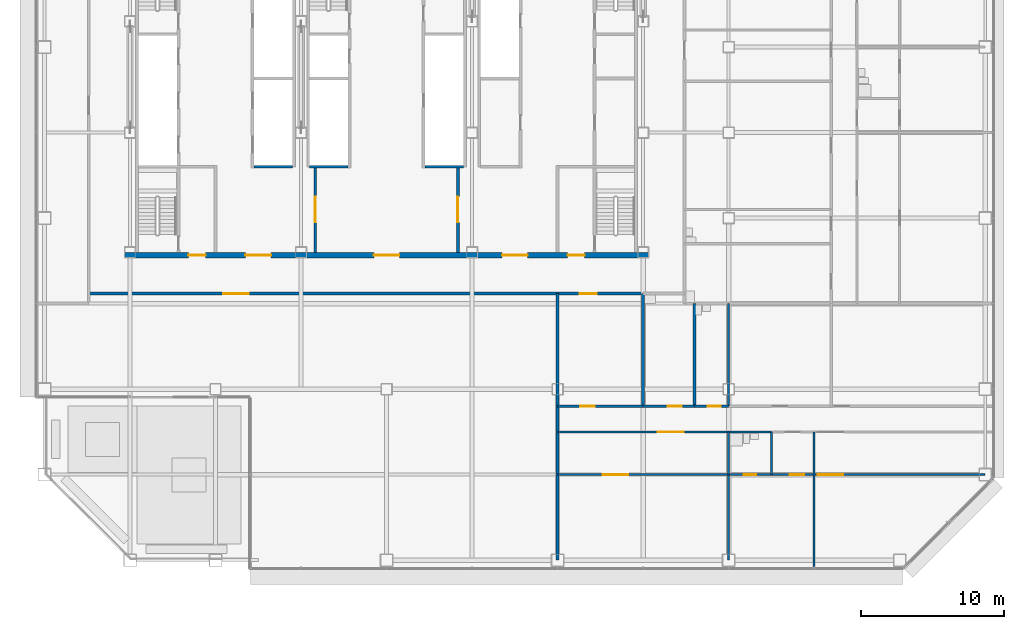
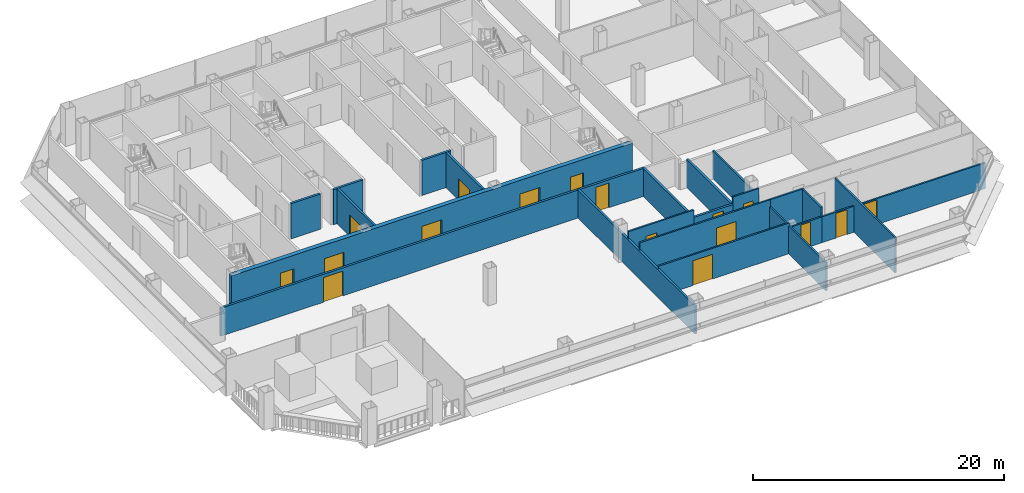
# One storey, part 20 of 28: 23 walls, 17 doors, 17 openings.
"""IFC4 building model written with IfcOpenShell, lengths in metres."""

from ifc_helpers import new_model, si_unit, direction, frame, frame_2d, origin, place, context, subcontext, project, spatial, rectangle, extrude, material, layer, layer_set, type_object, element, fill, save


model = new_model("IFC4")

# Units and contexts
model_context = context("Model", 3, precision=1e-05, world=origin(), true_north=direction((0.0, 1.0)))
body_context = subcontext(model_context, "Body", "Model", "MODEL_VIEW")
ifc_project = project(units=[si_unit("LENGTHUNIT", "METRE"), si_unit("AREAUNIT", "SQUARE_METRE"), si_unit("VOLUMEUNIT", "CUBIC_METRE"), si_unit("PLANEANGLEUNIT", "RADIAN"), si_unit("MASSUNIT", "GRAM", prefix="KILO")], contexts=[model_context])

# Site, building, storey
site_placement = place(None, origin())
site = spatial("IfcSite", under=ifc_project, at=site_placement, CompositionType="ELEMENT")
building_placement = place(site_placement, origin())
building = spatial("IfcBuilding", under=site, at=building_placement, Name="Sorahane Residences", CompositionType="ELEMENT")
storey_placement = place(building_placement, frame((0.0, 0.0, 60.60009765625)))
storey = spatial("IfcBuildingStorey", under=building, at=storey_placement, Name="L11", CompositionType="ELEMENT", Elevation=60.60009765625)

# Wall
ifc_material_1 = material(Name="Concrete blockwork C20 wall", Category="masonry")
ifc_layer_1 = layer(ifc_material_1, 0.199951171875)
ifc_layer_set_1 = layer_set([ifc_layer_1], Name="Corridor wall 200 EI 120")
wall_type_1 = type_object("IfcWallType", Name="Corridor wall 200 EI 120", PredefinedType="SOLIDWALL", material=ifc_layer_set_1)
wall_1_placement = place(storey_placement, frame((36.0, 0.0, 0.0), z_axis=(0.0, 0.0, 1.0), x_axis=(0.0, 1.0, 0.0)))
element("IfcWall", 1, at=wall_1_placement, inside=storey, type_object=wall_type_1, Name="L11 corridor wall", PredefinedType="SOLIDWALL", context=body_context, shape_type="SweptSolid", body=[
    extrude(rectangle(XDim=18.699951171875, YDim=0.199951171875, at=frame_2d((9.35009765625, 0.0))), origin(), (0.0, 0.0, 1.0), 2.719970703125),
])

# Wall, openings, doors
wall_2_placement = place(storey_placement, frame((3.10009765625, 18.699951171875, 0.0), z_axis=(0.0, 0.0, 1.0), x_axis=(1.0, 0.0, 0.0)))
wall_2 = element("IfcWall", 2, at=wall_2_placement, inside=storey, type_object=wall_type_1, Name="L11 corridor wall", PredefinedType="SOLIDWALL", context=body_context, shape_type="SweptSolid", body=[
    extrude(rectangle(XDim=38.89990234375, YDim=0.199951171875, at=frame_2d((19.449951171875, 0.0))), origin(), (0.0, 0.0, 1.0), 2.719970703125),
])
opening_1_placement = place(wall_2_placement, frame((34.43994140625, 0.0, 0.0)))
opening_1 = element("IfcOpeningElement", 3, at=opening_1_placement, cuts=wall_2, Name="Opening L11-25", PredefinedType="OPENING", context=body_context, shape_type="SweptSolid", body=[
    extrude(rectangle(XDim=1.199951171875, YDim=2.39990234375, at=frame_2d((0.60009765625, 1.199951171875))), frame((0.0, 0.10986328125, 0.0), z_axis=(0.0, -1.0, 0.0), x_axis=(1.0, 0.0, 0.0)), (0.0, 0.0, 1.0), 0.219970703125),
])
opening_2_placement = place(wall_2_placement, frame((9.429931640625, 0.0, 0.0)))
opening_2 = element("IfcOpeningElement", 4, at=opening_2_placement, cuts=wall_2, Name="Opening L11-27", PredefinedType="OPENING", context=body_context, shape_type="SweptSolid", body=[
    extrude(rectangle(XDim=1.800048828125, YDim=2.39990234375, at=frame_2d((0.89990234375, 1.199951171875))), frame((0.0, 0.10986328125, 0.0), z_axis=(0.0, -1.0, 0.0), x_axis=(1.0, 0.0, 0.0)), (0.0, 0.0, 1.0), 0.219970703125),
])
ifc_material_2 = material(Name="Timber veneered fire door", Category="wood")
door_type_1 = type_object("IfcDoorType", Name="Double door 1800x2400 FD30", OperationType="NOTDEFINED", PredefinedType="DOOR", material=ifc_material_2)
door_1_placement = place(opening_2_placement, frame((1.800048828125, 0.0, 0.0), z_axis=(0.0, 0.0, 1.0), x_axis=(-1.0, 0.0, 0.0)))
door_1 = element("IfcDoor", 5, at=door_1_placement, inside=storey, type_object=door_type_1, Name="Double door L11-27", OperationType="SINGLE_SWING_LEFT", OverallHeight=2.39990234375, OverallWidth=1.800048828125, PredefinedType="DOOR", context=body_context, shape_type="SweptSolid", body=[
    extrude(rectangle(XDim=1.800048828125, YDim=2.39990234375, at=frame_2d((0.89990234375, 1.199951171875))), frame((0.0, 0.02490234375, 0.0), z_axis=(0.0, -1.0, 0.0), x_axis=(1.0, 0.0, 0.0)), (0.0, 0.0, 1.0), 0.050048828125),
])
fill(opening_2, door_1)
ifc_material_3 = material(Name="Timber veneered fire door", Category="wood")
door_type_2 = type_object("IfcDoorType", Name="Flat entrance door 1200x2400 FD60", OperationType="NOTDEFINED", PredefinedType="DOOR", material=ifc_material_3)
door_2_placement = place(opening_1_placement, frame((1.199951171875, 0.0, 0.0), z_axis=(0.0, 0.0, 1.0), x_axis=(-1.0, 0.0, 0.0)))
door_2 = element("IfcDoor", 6, at=door_2_placement, inside=storey, type_object=door_type_2, Name="Flat entrance door L11-25", OperationType="SINGLE_SWING_RIGHT", OverallHeight=2.39990234375, OverallWidth=1.199951171875, PredefinedType="DOOR", context=body_context, shape_type="SweptSolid", body=[
    extrude(rectangle(XDim=1.199951171875, YDim=2.39990234375, at=frame_2d((0.60009765625, 1.199951171875))), frame((0.0, 0.02490234375, 0.0), z_axis=(0.0, -1.0, 0.0), x_axis=(1.0, 0.0, 0.0)), (0.0, 0.0, 1.0), 0.050048828125),
])
fill(opening_1, door_2)

# Walls
ifc_material_4 = material(Name="Concrete blockwork C20 wall", Category="masonry")
ifc_layer_2 = layer(ifc_material_4, 0.199951171875)
ifc_layer_set_2 = layer_set([ifc_layer_2], Name="Kitchen wall 200 EI 180")
wall_type_2 = type_object("IfcWallType", Name="Kitchen wall 200 EI 180", PredefinedType="SOLIDWALL", material=ifc_layer_set_2)
wall_3_placement = place(storey_placement, frame((42.0, 10.800048828125, 0.0), z_axis=(0.0, 0.0, 1.0), x_axis=(0.0, 1.0, 0.0)))
element("IfcWall", 7, at=wall_3_placement, inside=storey, type_object=wall_type_2, Name="L11 kitchen wall", PredefinedType="SOLIDWALL", context=body_context, shape_type="SweptSolid", body=[
    extrude(rectangle(XDim=7.89990234375, YDim=0.199951171875, at=frame_2d((3.949951171875, 0.0))), origin(), (0.0, 0.0, 1.0), 2.719970703125),
])
wall_4_placement = place(storey_placement, frame((45.60009765625, 10.800048828125, 0.0), z_axis=(0.0, 0.0, 1.0), x_axis=(0.0, 1.0, 0.0)))
element("IfcWall", 8, at=wall_4_placement, inside=storey, type_object=wall_type_2, Name="L11 kitchen wall", PredefinedType="SOLIDWALL", context=body_context, shape_type="SweptSolid", body=[
    extrude(rectangle(XDim=7.199951171875, YDim=0.199951171875, at=frame_2d((3.60009765625, 0.0))), origin(), (0.0, 0.0, 1.0), 2.719970703125),
])

# Wall, opening, door
wall_5_placement = place(storey_placement, frame((42.0, 10.800048828125, 0.0), z_axis=(0.0, 0.0, 1.0), x_axis=(1.0, 0.0, 0.0)))
wall_5 = element("IfcWall", 9, at=wall_5_placement, inside=storey, type_object=wall_type_2, Name="L11 kitchen wall", PredefinedType="SOLIDWALL", context=body_context, shape_type="SweptSolid", body=[
    extrude(rectangle(XDim=3.60009765625, YDim=0.199951171875, at=frame_2d((1.800048828125, 0.0))), origin(), (0.0, 0.0, 1.0), 2.719970703125),
])
opening_3_placement = place(wall_5_placement, frame((1.719970703125, 0.0, 0.0)))
opening_3 = element("IfcOpeningElement", 10, at=opening_3_placement, cuts=wall_5, Name="Opening L11-02", PredefinedType="OPENING", context=body_context, shape_type="SweptSolid", body=[
    extrude(rectangle(XDim=1.0, YDim=2.39990234375, at=frame_2d((0.5, 1.199951171875))), frame((0.0, 0.10986328125, 0.0), z_axis=(0.0, -1.0, 0.0), x_axis=(1.0, 0.0, 0.0)), (0.0, 0.0, 1.0), 0.219970703125),
])
ifc_material_5 = material(Name="Steel", Category="steel")
door_type_3 = type_object("IfcDoorType", Name="Kitchen door 1000x2400 FD120", OperationType="NOTDEFINED", PredefinedType="DOOR", material=ifc_material_5)
door_3_placement = place(opening_3_placement, origin())
door_3 = element("IfcDoor", 11, at=door_3_placement, inside=storey, type_object=door_type_3, Name="Kitchen door L11-02", OperationType="SINGLE_SWING_LEFT", OverallHeight=2.39990234375, OverallWidth=1.0, PredefinedType="DOOR", context=body_context, shape_type="SweptSolid", body=[
    extrude(rectangle(XDim=1.0, YDim=2.39990234375, at=frame_2d((0.5, 1.199951171875))), frame((0.0, 0.02490234375, 0.0), z_axis=(0.0, -1.0, 0.0), x_axis=(1.0, 0.0, 0.0)), (0.0, 0.0, 1.0), 0.050048828125),
])
fill(opening_3, door_3)

# Walls
ifc_material_6 = material(Name="Concrete C30", Category="concrete")
ifc_layer_3 = layer(ifc_material_6, 0.199951171875)
ifc_layer_set_3 = layer_set([ifc_layer_3], Name="Lift shaft wall 200 EI 120")
wall_type_3 = type_object("IfcWallType", Name="Lift shaft wall 200 EI 120", PredefinedType="SOLIDWALL", material=ifc_layer_set_3)
for number, where, z_axis, x_axis, name in (
    (12, (14.699951171875, 27.60009765625, 0.0), (0.0, 0.0, 1.0), (1.0, 0.0, 0.0), "L11 lift shaft wall"),
    (13, (18.60009765625, 27.60009765625, 0.0), (0.0, 0.0, 1.0), (1.0, 0.0, 0.0), "L11 lift shaft wall"),
):
    element("IfcWall", number, at=place(storey_placement, frame(where, z_axis=z_axis, x_axis=x_axis)), inside=storey, type_object=wall_type_3, Name=name, PredefinedType="SOLIDWALL", context=body_context, shape_type="SweptSolid", body=[
        extrude(rectangle(XDim=2.699951171875, YDim=0.199951171875, at=frame_2d((1.35009765625, 0.0))), origin(), (0.0, 0.0, 1.0), 3.419921875),
    ])
ifc_material_7 = material(Name="Gypsum board partition on steel studs", Category="steel")
ifc_layer_4 = layer(ifc_material_7, 0.14990234375)
ifc_layer_set_4 = layer_set([ifc_layer_4], Name="Partition 150 EI 90")
wall_type_4 = type_object("IfcWallType", Name="Partition 150 EI 90", PredefinedType="PARTITIONING", material=ifc_layer_set_4)
wall_6_placement = place(storey_placement, frame((48.0, 0.0, 0.0), z_axis=(0.0, 0.0, 1.0), x_axis=(0.0, 1.0, 0.0)))
element("IfcWall", 14, at=wall_6_placement, inside=storey, type_object=wall_type_4, Name="L11 partition", PredefinedType="PARTITIONING", context=body_context, shape_type="SweptSolid", body=[
    extrude(rectangle(XDim=6.0, YDim=0.14990234375, at=frame_2d((3.0, 0.0))), origin(), (0.0, 0.0, 1.0), 2.719970703125),
])
wall_7_placement = place(storey_placement, frame((54.0, -0.60009765625, 0.0), z_axis=(0.0, 0.0, 1.0), x_axis=(0.0, 1.0, 0.0)))
element("IfcWall", 15, at=wall_7_placement, inside=storey, type_object=wall_type_4, Name="L11 partition", PredefinedType="PARTITIONING", context=body_context, shape_type="SweptSolid", body=[
    extrude(rectangle(XDim=9.60009765625, YDim=0.14990234375, at=frame_2d((4.800048828125, 0.0))), origin(), (0.0, 0.0, 1.0), 3.419921875),
])

# Wall, opening, door
wall_8_placement = place(storey_placement, frame((36.0, 10.800048828125, 0.0), z_axis=(0.0, 0.0, 1.0), x_axis=(1.0, 0.0, 0.0)))
wall_8 = element("IfcWall", 16, at=wall_8_placement, inside=storey, type_object=wall_type_4, Name="L11 partition", PredefinedType="PARTITIONING", context=body_context, shape_type="SweptSolid", body=[
    extrude(rectangle(XDim=6.0, YDim=0.14990234375, at=frame_2d((3.0, 0.0))), origin(), (0.0, 0.0, 1.0), 3.419921875),
])
opening_4_placement = place(wall_8_placement, frame((1.60009765625, 0.0, 0.0)))
opening_4 = element("IfcOpeningElement", 17, at=opening_4_placement, cuts=wall_8, Name="Opening L11-01", PredefinedType="OPENING", context=body_context, shape_type="SweptSolid", body=[
    extrude(rectangle(XDim=1.0, YDim=2.39990234375, at=frame_2d((0.5, 1.199951171875))), frame((0.0, 0.0849609375, 0.0), z_axis=(0.0, -1.0, 0.0), x_axis=(1.0, 0.0, 0.0)), (0.0, 0.0, 1.0), 0.169921875),
])
ifc_material_8 = material(Name="Timber veneered fire door", Category="wood")
door_type_4 = type_object("IfcDoorType", Name="Room door 1000x2400 FD30", OperationType="NOTDEFINED", PredefinedType="DOOR", material=ifc_material_8)
door_4_placement = place(opening_4_placement, frame((1.0, 0.0, 0.0), z_axis=(0.0, 0.0, 1.0), x_axis=(-1.0, 0.0, 0.0)))
door_4 = element("IfcDoor", 18, at=door_4_placement, inside=storey, type_object=door_type_4, Name="Room door L11-01", OperationType="SINGLE_SWING_RIGHT", OverallHeight=2.39990234375, OverallWidth=1.0, PredefinedType="DOOR", context=body_context, shape_type="SweptSolid", body=[
    extrude(rectangle(XDim=1.0, YDim=2.39990234375, at=frame_2d((0.5, 1.199951171875))), frame((0.0, 0.02490234375, 0.0), z_axis=(0.0, -1.0, 0.0), x_axis=(1.0, 0.0, 0.0)), (0.0, 0.0, 1.0), 0.050048828125),
])
fill(opening_4, door_4)

wall_9_placement = place(storey_placement, frame((36.0, 6.0, 0.0), z_axis=(0.0, 0.0, 1.0), x_axis=(1.0, 0.0, 0.0)))
wall_9 = element("IfcWall", 19, at=wall_9_placement, inside=storey, type_object=wall_type_4, Name="L11 partition", PredefinedType="PARTITIONING", context=body_context, shape_type="SweptSolid", body=[
    extrude(rectangle(XDim=12.0, YDim=0.14990234375, at=frame_2d((6.0, 0.0))), origin(), (0.0, 0.0, 1.0), 2.969970703125),
])
opening_5_placement = place(wall_9_placement, frame((3.159912109375, 0.0, 0.0)))
opening_5 = element("IfcOpeningElement", 20, at=opening_5_placement, cuts=wall_9, Name="Opening L11-09", PredefinedType="OPENING", context=body_context, shape_type="SweptSolid", body=[
    extrude(rectangle(XDim=1.800048828125, YDim=2.39990234375, at=frame_2d((0.89990234375, 1.199951171875))), frame((0.0, 0.0849609375, 0.0), z_axis=(0.0, -1.0, 0.0), x_axis=(1.0, 0.0, 0.0)), (0.0, 0.0, 1.0), 0.169921875),
])
door_5_placement = place(opening_5_placement, frame((1.800048828125, 0.0, 0.0), z_axis=(0.0, 0.0, 1.0), x_axis=(-1.0, 0.0, 0.0)))
door_5 = element("IfcDoor", 21, at=door_5_placement, inside=storey, type_object=door_type_1, Name="Double door L11-09", OperationType="SINGLE_SWING_RIGHT", OverallHeight=2.39990234375, OverallWidth=1.800048828125, PredefinedType="DOOR", context=body_context, shape_type="SweptSolid", body=[
    extrude(rectangle(XDim=1.800048828125, YDim=2.39990234375, at=frame_2d((0.89990234375, 1.199951171875))), frame((0.0, 0.02490234375, 0.0), z_axis=(0.0, -1.0, 0.0), x_axis=(1.0, 0.0, 0.0)), (0.0, 0.0, 1.0), 0.050048828125),
])
fill(opening_5, door_5)

# Wall, openings, doors
wall_10_placement = place(storey_placement, frame((51.0, 6.0, 0.0), z_axis=(0.0, 0.0, 1.0), x_axis=(1.0, 0.0, 0.0)))
wall_10 = element("IfcWall", 22, at=wall_10_placement, inside=storey, type_object=wall_type_4, Name="L11 partition", PredefinedType="PARTITIONING", context=body_context, shape_type="SweptSolid", body=[
    extrude(rectangle(XDim=15.0, YDim=0.14990234375, at=frame_2d((7.5, 0.0))), origin(), (0.0, 0.0, 1.0), 2.52001953125),
])
opening_6_placement = place(wall_10_placement, frame((1.300048828125, 0.0, 0.0)))
opening_6 = element("IfcOpeningElement", 23, at=opening_6_placement, cuts=wall_10, Name="Opening L11-10", PredefinedType="OPENING", context=body_context, shape_type="SweptSolid", body=[
    extrude(rectangle(XDim=1.0, YDim=2.39990234375, at=frame_2d((0.5, 1.199951171875))), frame((0.0, 0.0849609375, 0.0), z_axis=(0.0, -1.0, 0.0), x_axis=(1.0, 0.0, 0.0)), (0.0, 0.0, 1.0), 0.169921875),
])
opening_7_placement = place(wall_10_placement, frame((3.25, 0.0, 0.0)))
opening_7 = element("IfcOpeningElement", 24, at=opening_7_placement, cuts=wall_10, Name="Opening L11-12", PredefinedType="OPENING", context=body_context, shape_type="SweptSolid", body=[
    extrude(rectangle(XDim=1.800048828125, YDim=2.39990234375, at=frame_2d((0.89990234375, 1.199951171875))), frame((0.0, 0.0849609375, 0.0), z_axis=(0.0, -1.0, 0.0), x_axis=(1.0, 0.0, 0.0)), (0.0, 0.0, 1.0), 0.169921875),
])
door_6_placement = place(opening_7_placement, frame((1.800048828125, 0.0, 0.0), z_axis=(0.0, 0.0, 1.0), x_axis=(-1.0, 0.0, 0.0)))
door_6 = element("IfcDoor", 25, at=door_6_placement, inside=storey, type_object=door_type_1, Name="Double door L11-12", OperationType="SINGLE_SWING_LEFT", OverallHeight=2.39990234375, OverallWidth=1.800048828125, PredefinedType="DOOR", context=body_context, shape_type="SweptSolid", body=[
    extrude(rectangle(XDim=1.800048828125, YDim=2.39990234375, at=frame_2d((0.89990234375, 1.199951171875))), frame((0.0, 0.02490234375, 0.0), z_axis=(0.0, -1.0, 0.0), x_axis=(1.0, 0.0, 0.0)), (0.0, 0.0, 1.0), 0.050048828125),
])
fill(opening_7, door_6)
door_7_placement = place(opening_6_placement, frame((1.0, 0.0, 0.0), z_axis=(0.0, 0.0, 1.0), x_axis=(-1.0, 0.0, 0.0)))
door_7 = element("IfcDoor", 26, at=door_7_placement, inside=storey, type_object=door_type_4, Name="Room door L11-10", OperationType="SINGLE_SWING_RIGHT", OverallHeight=2.39990234375, OverallWidth=1.0, PredefinedType="DOOR", context=body_context, shape_type="SweptSolid", body=[
    extrude(rectangle(XDim=1.0, YDim=2.39990234375, at=frame_2d((0.5, 1.199951171875))), frame((0.0, 0.02490234375, 0.0), z_axis=(0.0, -1.0, 0.0), x_axis=(1.0, 0.0, 0.0)), (0.0, 0.0, 1.0), 0.050048828125),
])
fill(opening_6, door_7)

# Wall, opening, door
wall_11_placement = place(storey_placement, frame((36.0, 9.0, 0.0), z_axis=(0.0, 0.0, 1.0), x_axis=(1.0, 0.0, 0.0)))
wall_11 = element("IfcWall", 27, at=wall_11_placement, inside=storey, type_object=wall_type_4, Name="L11 partition", PredefinedType="PARTITIONING", context=body_context, shape_type="SweptSolid", body=[
    extrude(rectangle(XDim=12.0, YDim=0.14990234375, at=frame_2d((6.0, 0.0))), origin(), (0.0, 0.0, 1.0), 3.419921875),
])
opening_8_placement = place(wall_11_placement, frame((7.0400390625, 0.0, 0.0)))
opening_8 = element("IfcOpeningElement", 28, at=opening_8_placement, cuts=wall_11, Name="Opening L11-06", PredefinedType="OPENING", context=body_context, shape_type="SweptSolid", body=[
    extrude(rectangle(XDim=1.800048828125, YDim=2.39990234375, at=frame_2d((0.89990234375, 1.199951171875))), frame((0.0, 0.0849609375, 0.0), z_axis=(0.0, -1.0, 0.0), x_axis=(1.0, 0.0, 0.0)), (0.0, 0.0, 1.0), 0.169921875),
])
door_8_placement = place(opening_8_placement, frame((1.800048828125, 0.0, 0.0), z_axis=(0.0, 0.0, 1.0), x_axis=(-1.0, 0.0, 0.0)))
door_8 = element("IfcDoor", 29, at=door_8_placement, inside=storey, type_object=door_type_1, Name="Double door L11-06", OperationType="SINGLE_SWING_LEFT", OverallHeight=2.39990234375, OverallWidth=1.800048828125, PredefinedType="DOOR", context=body_context, shape_type="SweptSolid", body=[
    extrude(rectangle(XDim=1.800048828125, YDim=2.39990234375, at=frame_2d((0.89990234375, 1.199951171875))), frame((0.0, 0.02490234375, 0.0), z_axis=(0.0, -1.0, 0.0), x_axis=(1.0, 0.0, 0.0)), (0.0, 0.0, 1.0), 0.050048828125),
])
fill(opening_8, door_8)

# Wall
ifc_material_9 = material(Name="Concrete C30", Category="concrete")
ifc_layer_5 = layer(ifc_material_9, 0.199951171875)
ifc_layer_set_5 = layer_set([ifc_layer_5], Name="Riser shaft wall 200 EI 120")
wall_type_5 = type_object("IfcWallType", Name="Riser shaft wall 200 EI 120", PredefinedType="SOLIDWALL", material=ifc_layer_set_5)
wall_12_placement = place(storey_placement, frame((26.699951171875, 27.60009765625, 0.0), z_axis=(0.0, 0.0, 1.0), x_axis=(1.0, 0.0, 0.0)))
element("IfcWall", 30, at=wall_12_placement, inside=storey, type_object=wall_type_5, Name="L11 riser wall", PredefinedType="SOLIDWALL", context=body_context, shape_type="SweptSolid", body=[
    extrude(rectangle(XDim=2.699951171875, YDim=0.199951171875, at=frame_2d((1.35009765625, 0.0))), origin(), (0.0, 0.0, 1.0), 3.419921875),
])

# Wall, opening, door
ifc_material_10 = material(Name="Concrete C30", Category="concrete")
ifc_layer_6 = layer(ifc_material_10, 0.199951171875)
ifc_layer_set_6 = layer_set([ifc_layer_6], Name="Service room partition 200 EI 60")
wall_type_6 = type_object("IfcWallType", Name="Service room partition 200 EI 60", PredefinedType="PARTITIONING", material=ifc_layer_set_6)
wall_13_placement = place(storey_placement, frame((19.0, 21.60009765625, 0.0), z_axis=(0.0, 0.0, 1.0), x_axis=(0.0, 1.0, 0.0)))
wall_13 = element("IfcWall", 31, at=wall_13_placement, inside=storey, type_object=wall_type_6, Name="L11 service room wall", PredefinedType="PARTITIONING", context=body_context, shape_type="SweptSolid", body=[
    extrude(rectangle(XDim=6.0, YDim=0.199951171875, at=frame_2d((3.0, 0.0))), origin(), (0.0, 0.0, 1.0), 3.419921875),
])
opening_9_placement = place(wall_13_placement, frame((2.10009765625, 0.0, 0.0)))
opening_9 = element("IfcOpeningElement", 32, at=opening_9_placement, cuts=wall_13, Name="Opening L11-C02", PredefinedType="OPENING", context=body_context, shape_type="SweptSolid", body=[
    extrude(rectangle(XDim=1.800048828125, YDim=2.10009765625, at=frame_2d((0.89990234375, 1.050048828125))), frame((0.0, 0.10986328125, 0.0), z_axis=(0.0, -1.0, 0.0), x_axis=(1.0, 0.0, 0.0)), (0.0, 0.0, 1.0), 0.219970703125),
])
ifc_material_11 = material(Name="Steel", Category="steel")
door_type_5 = type_object("IfcDoorType", Name="Waiting hall door 1800x2100 FD60", OperationType="NOTDEFINED", PredefinedType="DOOR", material=ifc_material_11)
door_9_placement = place(opening_9_placement, origin())
door_9 = element("IfcDoor", 33, at=door_9_placement, inside=storey, type_object=door_type_5, Name="Waiting hall door Residents' waiting hall west L11", OperationType="SINGLE_SWING_LEFT", OverallHeight=2.10009765625, OverallWidth=1.800048828125, PredefinedType="DOOR", context=body_context, shape_type="SweptSolid", body=[
    extrude(rectangle(XDim=1.800048828125, YDim=2.10009765625, at=frame_2d((0.89990234375, 1.050048828125))), frame((0.0, 0.02490234375, 0.0), z_axis=(0.0, -1.0, 0.0), x_axis=(1.0, 0.0, 0.0)), (0.0, 0.0, 1.0), 0.050048828125),
])
fill(opening_9, door_9)

wall_14_placement = place(storey_placement, frame((29.0, 21.60009765625, 0.0), z_axis=(0.0, 0.0, 1.0), x_axis=(0.0, 1.0, 0.0)))
wall_14 = element("IfcWall", 34, at=wall_14_placement, inside=storey, type_object=wall_type_6, Name="L11 service room wall", PredefinedType="PARTITIONING", context=body_context, shape_type="SweptSolid", body=[
    extrude(rectangle(XDim=6.0, YDim=0.199951171875, at=frame_2d((3.0, 0.0))), origin(), (0.0, 0.0, 1.0), 3.419921875),
])
opening_10_placement = place(wall_14_placement, frame((2.10009765625, 0.0, 0.0)))
opening_10 = element("IfcOpeningElement", 35, at=opening_10_placement, cuts=wall_14, Name="Opening L11-C04", PredefinedType="OPENING", context=body_context, shape_type="SweptSolid", body=[
    extrude(rectangle(XDim=1.800048828125, YDim=2.10009765625, at=frame_2d((0.89990234375, 1.050048828125))), frame((0.0, 0.10986328125, 0.0), z_axis=(0.0, -1.0, 0.0), x_axis=(1.0, 0.0, 0.0)), (0.0, 0.0, 1.0), 0.219970703125),
])
door_10_placement = place(opening_10_placement, origin())
door_10 = element("IfcDoor", 36, at=door_10_placement, inside=storey, type_object=door_type_5, Name="Waiting hall door Residents' waiting hall centre L11", OperationType="SINGLE_SWING_LEFT", OverallHeight=2.10009765625, OverallWidth=1.800048828125, PredefinedType="DOOR", context=body_context, shape_type="SweptSolid", body=[
    extrude(rectangle(XDim=1.800048828125, YDim=2.10009765625, at=frame_2d((0.89990234375, 1.050048828125))), frame((0.0, 0.02490234375, 0.0), z_axis=(0.0, -1.0, 0.0), x_axis=(1.0, 0.0, 0.0)), (0.0, 0.0, 1.0), 0.050048828125),
])
fill(opening_10, door_10)

# Wall, openings, doors
ifc_material_12 = material(Name="Concrete C30", Category="concrete")
ifc_layer_7 = layer(ifc_material_12, 0.39990234375)
ifc_layer_set_7 = layer_set([ifc_layer_7], Name="Waiting hall wall 400 EI 120")
wall_type_7 = type_object("IfcWallType", Name="Waiting hall wall 400 EI 120", PredefinedType="SOLIDWALL", material=ifc_layer_set_7)
wall_15_placement = place(storey_placement, frame((5.60009765625, 21.39990234375, 0.0), z_axis=(0.0, 0.0, 1.0), x_axis=(1.0, 0.0, 0.0)))
wall_15 = element("IfcWall", 37, at=wall_15_placement, inside=storey, type_object=wall_type_7, Name="L11 waiting hall wall", PredefinedType="SOLIDWALL", context=body_context, shape_type="SweptSolid", body=[
    extrude(rectangle(XDim=36.7998046875, YDim=0.39990234375, at=frame_2d((18.39990234375, 0.0))), origin(), (0.0, 0.0, 1.0), 3.419921875),
])
opening_11_placement = place(wall_15_placement, frame((8.5, 0.0, 0.0)))
opening_11 = element("IfcOpeningElement", 38, at=opening_11_placement, cuts=wall_15, Name="Opening L11-C01", PredefinedType="OPENING", context=body_context, shape_type="SweptSolid", body=[
    extrude(rectangle(XDim=1.800048828125, YDim=2.10009765625, at=frame_2d((0.89990234375, 1.050048828125))), frame((0.0, 0.2099609375, 0.0), z_axis=(0.0, -1.0, 0.0), x_axis=(1.0, 0.0, 0.0)), (0.0, 0.0, 1.0), 0.419921875),
])
opening_12_placement = place(wall_15_placement, frame((17.5, 0.0, 0.0)))
opening_12 = element("IfcOpeningElement", 39, at=opening_12_placement, cuts=wall_15, Name="Opening L11-C03", PredefinedType="OPENING", context=body_context, shape_type="SweptSolid", body=[
    extrude(rectangle(XDim=1.800048828125, YDim=2.10009765625, at=frame_2d((0.89990234375, 1.050048828125))), frame((0.0, 0.2099609375, 0.0), z_axis=(0.0, -1.0, 0.0), x_axis=(1.0, 0.0, 0.0)), (0.0, 0.0, 1.0), 0.419921875),
])
opening_13_placement = place(wall_15_placement, frame((26.5, 0.0, 0.0)))
opening_13 = element("IfcOpeningElement", 40, at=opening_13_placement, cuts=wall_15, Name="Opening L11-C05", PredefinedType="OPENING", context=body_context, shape_type="SweptSolid", body=[
    extrude(rectangle(XDim=1.800048828125, YDim=2.10009765625, at=frame_2d((0.89990234375, 1.050048828125))), frame((0.0, 0.2099609375, 0.0), z_axis=(0.0, -1.0, 0.0), x_axis=(1.0, 0.0, 0.0)), (0.0, 0.0, 1.0), 0.419921875),
])
opening_14_placement = place(wall_15_placement, frame((4.5, 0.0, 0.0)))
opening_14 = element("IfcOpeningElement", 41, at=opening_14_placement, cuts=wall_15, Name="Opening L11-C06", PredefinedType="OPENING", context=body_context, shape_type="SweptSolid", body=[
    extrude(rectangle(XDim=1.199951171875, YDim=2.10009765625, at=frame_2d((0.60009765625, 1.050048828125))), frame((0.0, 0.2099609375, 0.0), z_axis=(0.0, -1.0, 0.0), x_axis=(1.0, 0.0, 0.0)), (0.0, 0.0, 1.0), 0.419921875),
])
opening_15_placement = place(wall_15_placement, frame((31.10009765625, 0.0, 0.0)))
opening_15 = element("IfcOpeningElement", 42, at=opening_15_placement, cuts=wall_15, Name="Opening L11-C07", PredefinedType="OPENING", context=body_context, shape_type="SweptSolid", body=[
    extrude(rectangle(XDim=1.199951171875, YDim=2.10009765625, at=frame_2d((0.60009765625, 1.050048828125))), frame((0.0, 0.2099609375, 0.0), z_axis=(0.0, -1.0, 0.0), x_axis=(1.0, 0.0, 0.0)), (0.0, 0.0, 1.0), 0.419921875),
])
ifc_material_13 = material(Name="Steel", Category="steel")
door_type_6 = type_object("IfcDoorType", Name="Stair front room door 1200x2100 FD120", OperationType="NOTDEFINED", PredefinedType="DOOR", material=ifc_material_13)
door_11_placement = place(opening_14_placement, frame((1.199951171875, 0.0, 0.0), z_axis=(0.0, 0.0, 1.0), x_axis=(-1.0, 0.0, 0.0)))
door_11 = element("IfcDoor", 43, at=door_11_placement, inside=storey, type_object=door_type_6, Name="Stair front room door Stair S4 front room L11", OperationType="SINGLE_SWING_LEFT", OverallHeight=2.10009765625, OverallWidth=1.199951171875, PredefinedType="DOOR", context=body_context, shape_type="SweptSolid", body=[
    extrude(rectangle(XDim=1.199951171875, YDim=2.10009765625, at=frame_2d((0.60009765625, 1.050048828125))), frame((0.0, 0.02490234375, 0.0), z_axis=(0.0, -1.0, 0.0), x_axis=(1.0, 0.0, 0.0)), (0.0, 0.0, 1.0), 0.050048828125),
])
fill(opening_14, door_11)
door_12_placement = place(opening_15_placement, frame((1.199951171875, 0.0, 0.0), z_axis=(0.0, 0.0, 1.0), x_axis=(-1.0, 0.0, 0.0)))
door_12 = element("IfcDoor", 44, at=door_12_placement, inside=storey, type_object=door_type_6, Name="Stair front room door Stair S5 front room L11", OperationType="SINGLE_SWING_LEFT", OverallHeight=2.10009765625, OverallWidth=1.199951171875, PredefinedType="DOOR", context=body_context, shape_type="SweptSolid", body=[
    extrude(rectangle(XDim=1.199951171875, YDim=2.10009765625, at=frame_2d((0.60009765625, 1.050048828125))), frame((0.0, 0.02490234375, 0.0), z_axis=(0.0, -1.0, 0.0), x_axis=(1.0, 0.0, 0.0)), (0.0, 0.0, 1.0), 0.050048828125),
])
fill(opening_15, door_12)
door_13_placement = place(opening_11_placement, frame((1.800048828125, 0.0, 0.0), z_axis=(0.0, 0.0, 1.0), x_axis=(-1.0, 0.0, 0.0)))
door_13 = element("IfcDoor", 45, at=door_13_placement, inside=storey, type_object=door_type_5, Name="Waiting hall door Residents' waiting hall west L11", OperationType="SINGLE_SWING_LEFT", OverallHeight=2.10009765625, OverallWidth=1.800048828125, PredefinedType="DOOR", context=body_context, shape_type="SweptSolid", body=[
    extrude(rectangle(XDim=1.800048828125, YDim=2.10009765625, at=frame_2d((0.89990234375, 1.050048828125))), frame((0.0, 0.02490234375, 0.0), z_axis=(0.0, -1.0, 0.0), x_axis=(1.0, 0.0, 0.0)), (0.0, 0.0, 1.0), 0.050048828125),
])
fill(opening_11, door_13)
door_14_placement = place(opening_12_placement, frame((1.800048828125, 0.0, 0.0), z_axis=(0.0, 0.0, 1.0), x_axis=(-1.0, 0.0, 0.0)))
door_14 = element("IfcDoor", 46, at=door_14_placement, inside=storey, type_object=door_type_5, Name="Waiting hall door Residents' waiting hall centre L11", OperationType="SINGLE_SWING_LEFT", OverallHeight=2.10009765625, OverallWidth=1.800048828125, PredefinedType="DOOR", context=body_context, shape_type="SweptSolid", body=[
    extrude(rectangle(XDim=1.800048828125, YDim=2.10009765625, at=frame_2d((0.89990234375, 1.050048828125))), frame((0.0, 0.02490234375, 0.0), z_axis=(0.0, -1.0, 0.0), x_axis=(1.0, 0.0, 0.0)), (0.0, 0.0, 1.0), 0.050048828125),
])
fill(opening_12, door_14)
door_15_placement = place(opening_13_placement, frame((1.800048828125, 0.0, 0.0), z_axis=(0.0, 0.0, 1.0), x_axis=(-1.0, 0.0, 0.0)))
door_15 = element("IfcDoor", 47, at=door_15_placement, inside=storey, type_object=door_type_5, Name="Waiting hall door Residents' waiting hall east L11", OperationType="SINGLE_SWING_LEFT", OverallHeight=2.10009765625, OverallWidth=1.800048828125, PredefinedType="DOOR", context=body_context, shape_type="SweptSolid", body=[
    extrude(rectangle(XDim=1.800048828125, YDim=2.10009765625, at=frame_2d((0.89990234375, 1.050048828125))), frame((0.0, 0.02490234375, 0.0), z_axis=(0.0, -1.0, 0.0), x_axis=(1.0, 0.0, 0.0)), (0.0, 0.0, 1.0), 0.050048828125),
])
fill(opening_13, door_15)

# Walls
ifc_material_14 = material(Name="Gypsum board partition on steel studs", Category="steel")
ifc_layer_8 = layer(ifc_material_14, 0.14990234375)
ifc_layer_set_8 = layer_set([ifc_layer_8], Name="Wet wall 150 EI 90")
wall_type_8 = type_object("IfcWallType", Name="Wet wall 150 EI 90", PredefinedType="PARTITIONING", material=ifc_layer_set_8)
wall_16_placement = place(storey_placement, frame((48.0, 6.0, 0.0), z_axis=(0.0, 0.0, 1.0), x_axis=(0.0, 1.0, 0.0)))
element("IfcWall", 48, at=wall_16_placement, inside=storey, type_object=wall_type_8, Name="L11 wet wall", PredefinedType="PARTITIONING", context=body_context, shape_type="SweptSolid", body=[
    extrude(rectangle(XDim=3.0, YDim=0.14990234375, at=frame_2d((1.5, 0.0))), origin(), (0.0, 0.0, 1.0), 2.719970703125),
])
wall_17_placement = place(storey_placement, frame((48.0, 10.800048828125, 0.0), z_axis=(0.0, 0.0, 1.0), x_axis=(0.0, 1.0, 0.0)))
element("IfcWall", 49, at=wall_17_placement, inside=storey, type_object=wall_type_8, Name="L11 wet wall", PredefinedType="PARTITIONING", context=body_context, shape_type="SweptSolid", body=[
    extrude(rectangle(XDim=7.199951171875, YDim=0.14990234375, at=frame_2d((3.60009765625, 0.0))), origin(), (0.0, 0.0, 1.0), 2.719970703125),
])
wall_18_placement = place(storey_placement, frame((51.0, 6.0, 0.0), z_axis=(0.0, 0.0, 1.0), x_axis=(0.0, 1.0, 0.0)))
element("IfcWall", 50, at=wall_18_placement, inside=storey, type_object=wall_type_8, Name="L11 wet wall", PredefinedType="PARTITIONING", context=body_context, shape_type="SweptSolid", body=[
    extrude(rectangle(XDim=3.0, YDim=0.14990234375, at=frame_2d((1.5, 0.0))), origin(), (0.0, 0.0, 1.0), 3.419921875),
])

# Wall, opening, door
wall_19_placement = place(storey_placement, frame((45.60009765625, 10.800048828125, 0.0), z_axis=(0.0, 0.0, 1.0), x_axis=(1.0, 0.0, 0.0)))
wall_19 = element("IfcWall", 51, at=wall_19_placement, inside=storey, type_object=wall_type_8, Name="L11 wet wall", PredefinedType="PARTITIONING", context=body_context, shape_type="SweptSolid", body=[
    extrude(rectangle(XDim=2.39990234375, YDim=0.14990234375, at=frame_2d((1.199951171875, 0.0))), origin(), (0.0, 0.0, 1.0), 3.419921875),
])
opening_16_placement = place(wall_19_placement, frame((0.949951171875, 0.0, 0.0)))
opening_16 = element("IfcOpeningElement", 52, at=opening_16_placement, cuts=wall_19, Name="Opening L11-03", PredefinedType="OPENING", context=body_context, shape_type="SweptSolid", body=[
    extrude(rectangle(XDim=0.89990234375, YDim=2.39990234375, at=frame_2d((0.449951171875, 1.199951171875))), frame((0.0, 0.0849609375, 0.0), z_axis=(0.0, -1.0, 0.0), x_axis=(1.0, 0.0, 0.0)), (0.0, 0.0, 1.0), 0.169921875),
])
ifc_material_15 = material(Name="Timber veneered fire door", Category="wood")
door_type_7 = type_object("IfcDoorType", Name="Bathroom door 900x2400 FD30", OperationType="NOTDEFINED", PredefinedType="DOOR", material=ifc_material_15)
door_16_placement = place(opening_16_placement, frame((0.89990234375, 0.0, 0.0), z_axis=(0.0, 0.0, 1.0), x_axis=(-1.0, 0.0, 0.0)))
door_16 = element("IfcDoor", 53, at=door_16_placement, inside=storey, type_object=door_type_7, Name="Bathroom door L11-03", OperationType="SINGLE_SWING_LEFT", OverallHeight=2.39990234375, OverallWidth=0.89990234375, PredefinedType="DOOR", context=body_context, shape_type="SweptSolid", body=[
    extrude(rectangle(XDim=0.89990234375, YDim=2.39990234375, at=frame_2d((0.449951171875, 1.199951171875))), frame((0.0, 0.02490234375, 0.0), z_axis=(0.0, -1.0, 0.0), x_axis=(1.0, 0.0, 0.0)), (0.0, 0.0, 1.0), 0.050048828125),
])
fill(opening_16, door_16)

wall_20_placement = place(storey_placement, frame((48.0, 6.0, 0.0), z_axis=(0.0, 0.0, 1.0), x_axis=(1.0, 0.0, 0.0)))
wall_20 = element("IfcWall", 54, at=wall_20_placement, inside=storey, type_object=wall_type_8, Name="L11 wet wall", PredefinedType="PARTITIONING", context=body_context, shape_type="SweptSolid", body=[
    extrude(rectangle(XDim=3.0, YDim=0.14990234375, at=frame_2d((1.5, 0.0))), origin(), (0.0, 0.0, 1.0), 2.52001953125),
])
opening_17_placement = place(wall_20_placement, frame((1.050048828125, 0.0, 0.0)))
opening_17 = element("IfcOpeningElement", 55, at=opening_17_placement, cuts=wall_20, Name="Opening L11-11", PredefinedType="OPENING", context=body_context, shape_type="SweptSolid", body=[
    extrude(rectangle(XDim=0.89990234375, YDim=2.39990234375, at=frame_2d((0.449951171875, 1.199951171875))), frame((0.0, 0.0849609375, 0.0), z_axis=(0.0, -1.0, 0.0), x_axis=(1.0, 0.0, 0.0)), (0.0, 0.0, 1.0), 0.169921875),
])
door_17_placement = place(opening_17_placement, frame((0.89990234375, 0.0, 0.0), z_axis=(0.0, 0.0, 1.0), x_axis=(-1.0, 0.0, 0.0)))
door_17 = element("IfcDoor", 56, at=door_17_placement, inside=storey, type_object=door_type_7, Name="Bathroom door L11-11", OperationType="SINGLE_SWING_LEFT", OverallHeight=2.39990234375, OverallWidth=0.89990234375, PredefinedType="DOOR", context=body_context, shape_type="SweptSolid", body=[
    extrude(rectangle(XDim=0.89990234375, YDim=2.39990234375, at=frame_2d((0.449951171875, 1.199951171875))), frame((0.0, 0.02490234375, 0.0), z_axis=(0.0, -1.0, 0.0), x_axis=(1.0, 0.0, 0.0)), (0.0, 0.0, 1.0), 0.050048828125),
])
fill(opening_17, door_17)

# Wall
wall_21_placement = place(storey_placement, frame((48.0, 9.0, 0.0), z_axis=(0.0, 0.0, 1.0), x_axis=(1.0, 0.0, 0.0)))
element("IfcWall", 57, at=wall_21_placement, inside=storey, type_object=wall_type_8, Name="L11 wet wall", PredefinedType="PARTITIONING", context=body_context, shape_type="SweptSolid", body=[
    extrude(rectangle(XDim=3.0, YDim=0.14990234375, at=frame_2d((1.5, 0.0))), origin(), (0.0, 0.0, 1.0), 3.419921875),
])

save(model, "model.ifc")
